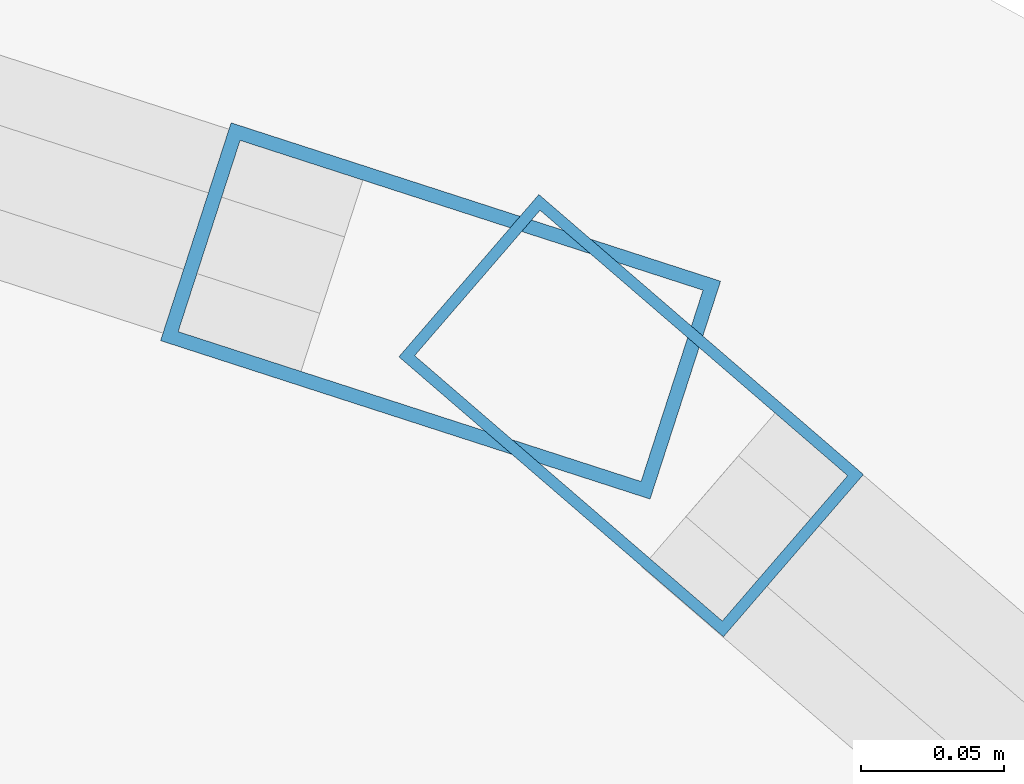
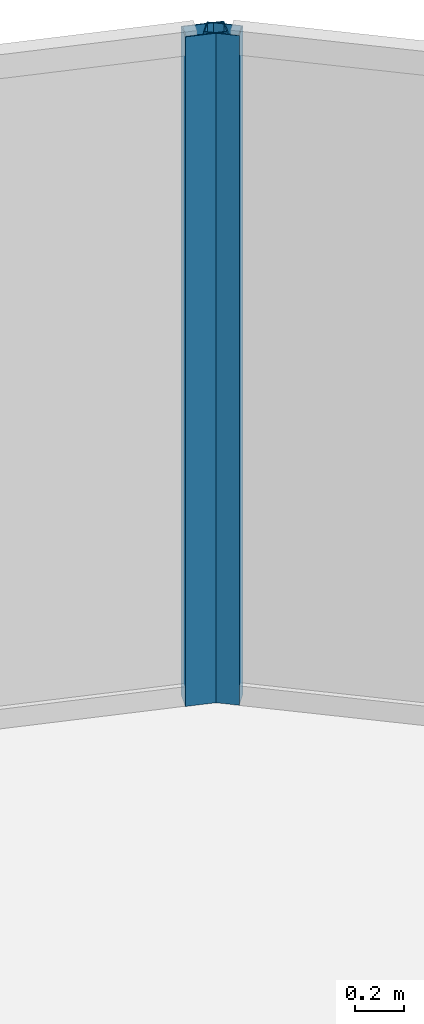
# One storey, part 19 of 33: 2 members, 2 elements without a shape of their own.
"""IFC4 building model written with IfcOpenShell, lengths in metres."""

from ifc_helpers import new_model, si_unit, direction, frame, origin, origin_2d, place, context, subcontext, project, spatial, hollow_rectangle, extrude, material, layer, layer_set, material_profile, profile_set, type_object, element, aggregate, save


model = new_model("IFC4")

# Units and contexts
model_context = context("Model", 3, precision=1e-05, world=origin(), true_north=direction((0.0, 1.0)))
body_context = subcontext(model_context, "Body", "Model", "MODEL_VIEW")
ifc_project = project(units=[si_unit("LENGTHUNIT", "METRE"), si_unit("AREAUNIT", "SQUARE_METRE"), si_unit("VOLUMEUNIT", "CUBIC_METRE"), si_unit("PLANEANGLEUNIT", "RADIAN"), si_unit("MASSUNIT", "GRAM", prefix="KILO")], contexts=[model_context])

# Site, building, storey
site_placement = place(None, origin())
site = spatial("IfcSite", under=ifc_project, at=site_placement, CompositionType="ELEMENT")
building_placement = place(site_placement, origin())
building = spatial("IfcBuilding", under=site, at=building_placement, Name="Kazevale Care Tower and Concert Hall", CompositionType="ELEMENT")
storey_placement = place(building_placement, frame((0.0, 0.0, 45.60009765625)))
storey = spatial("IfcBuildingStorey", under=building, at=storey_placement, Name="L11", CompositionType="ELEMENT", Elevation=45.60009765625)

# Curtain wall, member
ifc_material_1 = material(Name="Aluminium 6063-T6 and Low-E Glass", Category="aluminium")
ifc_layer_1 = layer(ifc_material_1, 0.179931640625)
ifc_layer_set_1 = layer_set([ifc_layer_1], Name="Aluminium 6063-T6 and Low-E Glass")
curtain_wall_type_1 = type_object("IfcCurtainWallType", Name="Convex Checkerboard Finned Curtain Wall CW-2", PredefinedType="NOTDEFINED", material=ifc_layer_set_1)
curtain_wall_1_placement = place(storey_placement, origin())
curtain_wall_1 = element("IfcCurtainWall", 1, at=curtain_wall_1_placement, inside=storey, type_object=curtain_wall_type_1, Name="cw:L11:f16", PredefinedType="NOTDEFINED")
ifc_material_2 = material(Name="Aluminium 6063-T6", Category="aluminium")
ifc_material_profile_1 = material_profile(ifc_material_2, hollow_rectangle(XDim=0.080078125, YDim=0.179931640625, WallThickness=0.0048828125, at=origin_2d()), Name="ALU80x180x5")
ifc_profile_set_1 = profile_set([ifc_material_profile_1], Name="Aluminium 6063-T6")
member_type_1 = type_object("IfcMemberType", Name="CW-2 Mullion ALU80x180x5", PredefinedType="MULLION", material=ifc_profile_set_1)
member_1_placement = place(storey_placement, frame((63.891845703125, 61.240234375, 0.0), z_axis=(0.0, 0.0, 1.0), x_axis=(0.307925769029, 0.951410385043, 0.0)))
member_1 = element("IfcMember", 2, at=member_1_placement, type_object=member_type_1, Name="CW-2 mullion 2", PredefinedType="MULLION", context=body_context, shape_type="SweptSolid", body=[
    extrude(hollow_rectangle(XDim=0.080078125, YDim=0.179931640625, WallThickness=0.0048828125, at=origin_2d()), origin(), (0.0, 0.0, 1.0), 3.35986328125),
])
aggregate(curtain_wall_1, [member_1])

ifc_layer_2 = layer(ifc_material_1, 0.179931640625)
ifc_layer_set_2 = layer_set([ifc_layer_2], Name="Aluminium 6063-T6 and Low-E Glass")
curtain_wall_type_2 = type_object("IfcCurtainWallType", Name="Convex Recessed Sunroom Curtain Wall CW-3", PredefinedType="NOTDEFINED", material=ifc_layer_set_2)
curtain_wall_2_placement = place(storey_placement, origin())
curtain_wall_2 = element("IfcCurtainWall", 3, at=curtain_wall_2_placement, inside=storey, type_object=curtain_wall_type_2, Name="cw:L11:f17", PredefinedType="NOTDEFINED")
ifc_material_profile_2 = material_profile(ifc_material_2, hollow_rectangle(XDim=0.074951171875, YDim=0.14990234375, WallThickness=0.00390625, at=origin_2d()), Name="ALU75x150x4")
ifc_profile_set_2 = profile_set([ifc_material_profile_2], Name="Aluminium 6063-T6")
member_type_2 = type_object("IfcMemberType", Name="CW-3 Mullion ALU75x150x4", PredefinedType="MULLION", material=ifc_profile_set_2)
member_2_placement = place(storey_placement, frame((63.95849609375, 61.20361328125, 0.0), z_axis=(0.0, 0.0, 1.0), x_axis=(0.653183596561, 0.757199570248, 0.0)))
member_2 = element("IfcMember", 4, at=member_2_placement, type_object=member_type_2, Name="CW-3 mullion 1", PredefinedType="MULLION", context=body_context, shape_type="SweptSolid", body=[
    extrude(hollow_rectangle(XDim=0.074951171875, YDim=0.14990234375, WallThickness=0.00390625, at=origin_2d()), origin(), (0.0, 0.0, 1.0), 3.35986328125),
])
aggregate(curtain_wall_2, [member_2])

save(model, "model.ifc")
